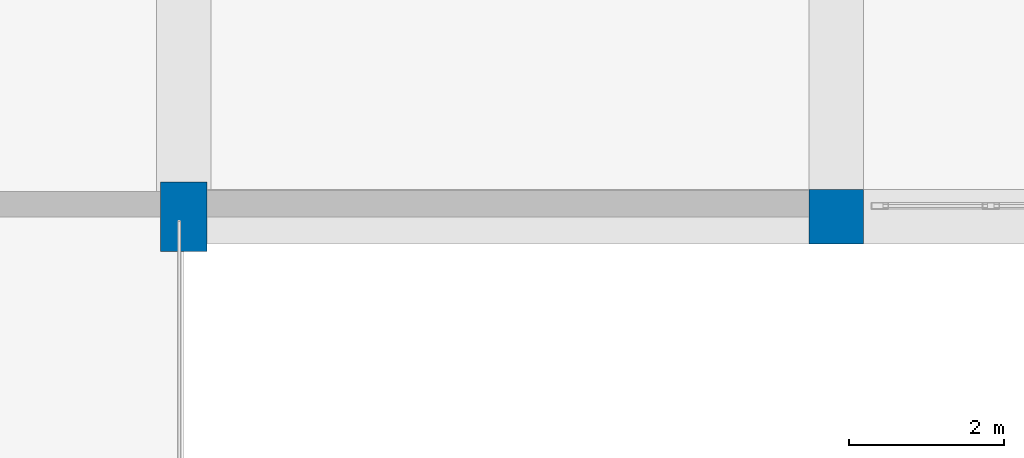
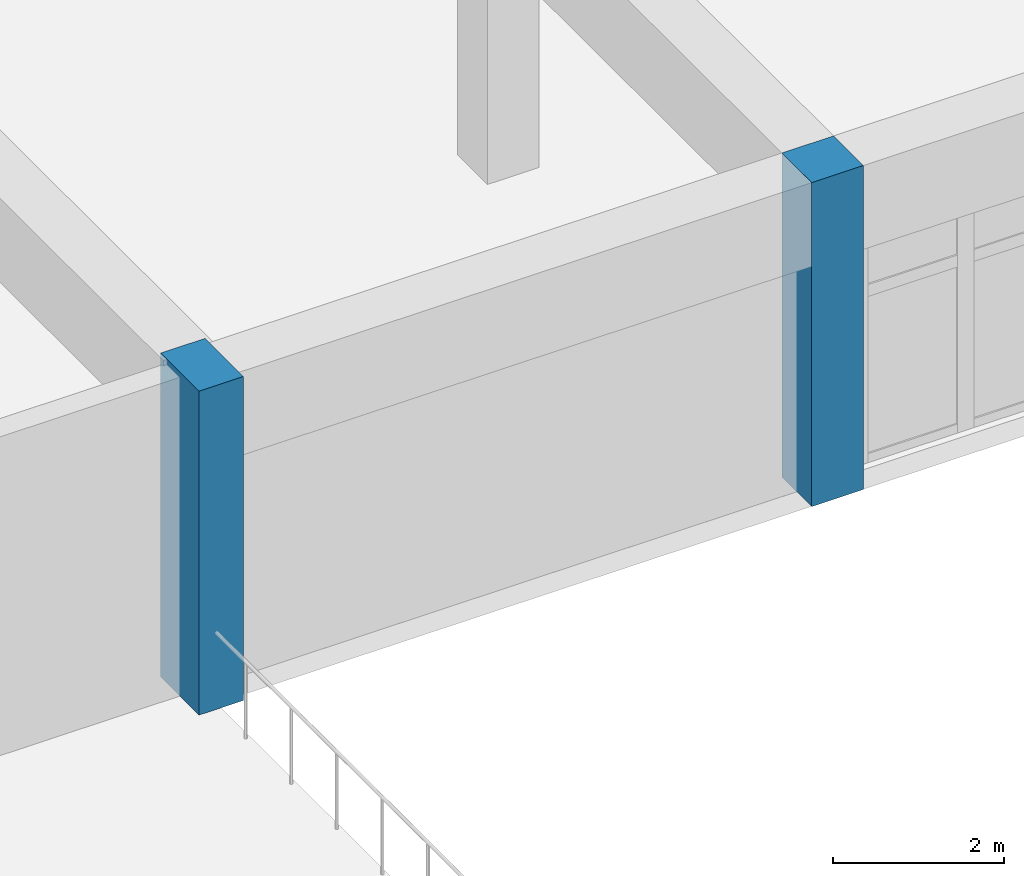
# One storey, part 2 of 72: 2 columns.
"""IFC4 building model written with IfcOpenShell, lengths in metres."""

from ifc_helpers import new_model, si_unit, direction, frame, origin, origin_2d, place, context, subcontext, project, spatial, rectangle, extrude, material, material_profile, profile_set, type_object, element, save


model = new_model("IFC4")

# Units and contexts
model_context = context("Model", 3, precision=1e-05, world=origin(), true_north=direction((0.0, 1.0)))
body_context = subcontext(model_context, "Body", "Model", "MODEL_VIEW")
ifc_project = project(units=[si_unit("LENGTHUNIT", "METRE"), si_unit("AREAUNIT", "SQUARE_METRE"), si_unit("VOLUMEUNIT", "CUBIC_METRE"), si_unit("PLANEANGLEUNIT", "RADIAN"), si_unit("MASSUNIT", "GRAM", prefix="KILO")], contexts=[model_context])

# Site, building, storey
site_placement = place(None, origin())
site = spatial("IfcSite", under=ifc_project, at=site_placement, CompositionType="ELEMENT")
building_placement = place(site_placement, origin())
building = spatial("IfcBuilding", under=site, at=building_placement, Name="Xicomal Pleat Aquarium", CompositionType="ELEMENT")
storey_placement = place(building_placement, frame((0.0, 0.0, 10.5)))
storey = spatial("IfcBuildingStorey", under=building, at=storey_placement, Name="L03", CompositionType="ELEMENT", Elevation=10.5)

# Columns
ifc_material_1 = material(Name="Concrete C40/50", Category="concrete")
ifc_material_profile_1 = material_profile(ifc_material_1, rectangle(XDim=0.60009765625, YDim=0.89990234375, at=origin_2d()), Name="RC 600x900")
ifc_profile_set_1 = profile_set([ifc_material_profile_1], Name="Concrete C40/50")
column_type_1 = type_object("IfcColumnType", Name="COL-RC-600x900", PredefinedType="COLUMN", material=ifc_profile_set_1)
column_1_placement = place(storey_placement, frame((52.199951171875, 30.39990234375, 0.0), z_axis=(0.0, 0.0, 1.0), x_axis=(1.0, 0.0, 0.0)))
element("IfcColumn", 1, at=column_1_placement, inside=storey, type_object=column_type_1, Name="L03 column 07/E", PredefinedType="COLUMN", context=body_context, shape_type="SweptSolid", body=[
    extrude(rectangle(XDim=0.60009765625, YDim=0.89990234375, at=origin_2d()), origin(), (0.0, 0.0, 1.0), 4.635009765625),
])
ifc_material_2 = material(Name="Concrete C40/50", Category="concrete")
ifc_material_profile_2 = material_profile(ifc_material_2, rectangle(XDim=0.699951171875, YDim=0.699951171875, at=origin_2d()), Name="RC 700x700")
ifc_profile_set_2 = profile_set([ifc_material_profile_2], Name="Concrete C40/50")
column_type_2 = type_object("IfcColumnType", Name="COL-RC-700x700", PredefinedType="COLUMN", material=ifc_profile_set_2)
column_2_placement = place(storey_placement, frame((60.60009765625, 30.39990234375, 0.0), z_axis=(0.0, 0.0, 1.0), x_axis=(1.0, 0.0, 0.0)))
element("IfcColumn", 2, at=column_2_placement, inside=storey, type_object=column_type_2, Name="L03 column 08/E", PredefinedType="COLUMN", context=body_context, shape_type="SweptSolid", body=[
    extrude(rectangle(XDim=0.699951171875, YDim=0.699951171875, at=origin_2d()), origin(), (0.0, 0.0, 1.0), 4.635009765625),
])

save(model, "model.ifc")
